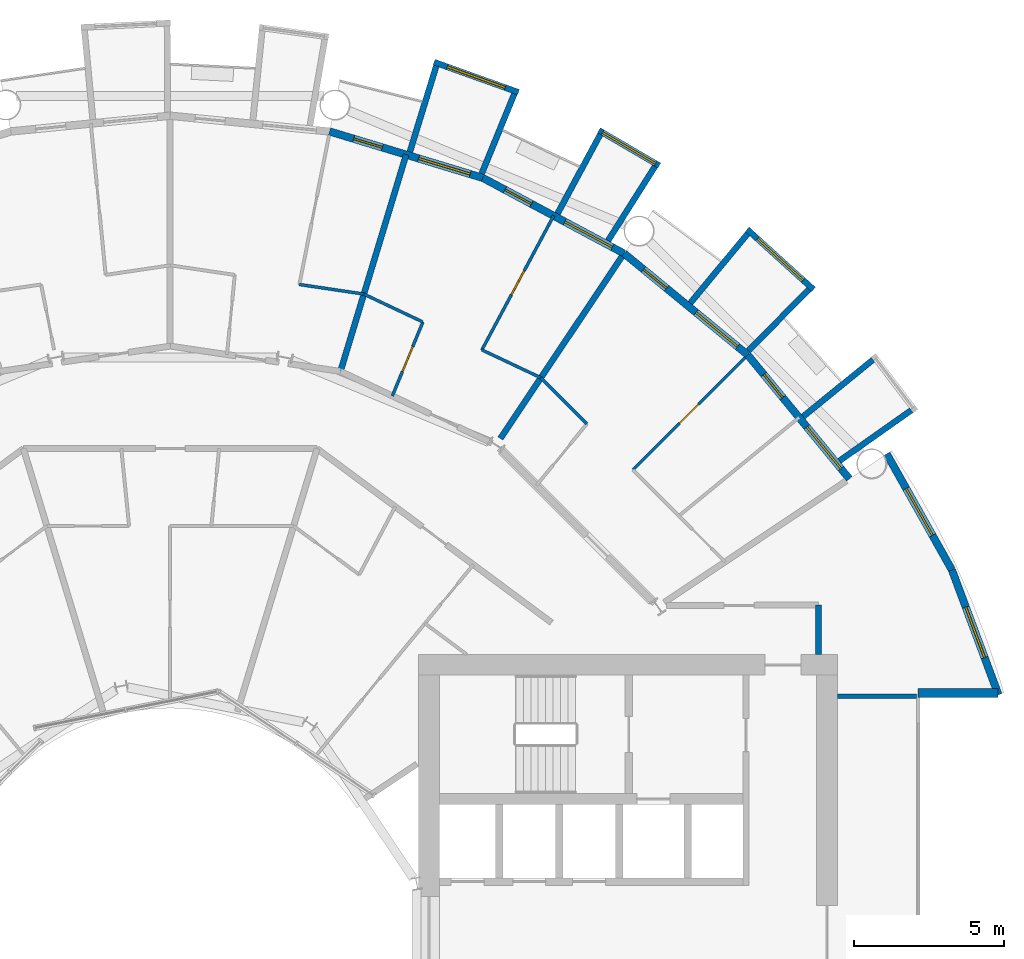
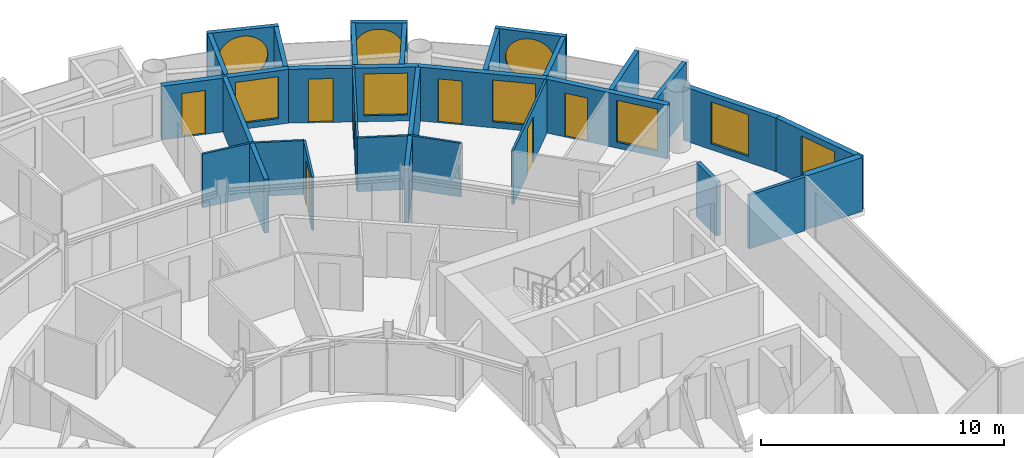
# One storey, part 22 of 26: 29 walls, 9 windows, 7 doors, 16 openings.
"""IFC4 building model written with IfcOpenShell, lengths in metres."""

import ifcopenshell
import ifcopenshell.guid

model = None  # the IFC model being written
_history = None  # IfcOwnerHistory: only IFC2X3 demands one
_inside = {}  # id of a spatial element -> (the spatial element, [elements in it])
_under = {}  # id of a project, library or spatial element -> (it, [spatial elements below it])
_declared = {}  # id of a project -> (the project, [libraries it declares])
_typed = {}  # id of a type object -> (the type object, [elements of that type])
_made_of = {}  # id of a material, layer set ... -> (it, [elements and type objects made of it])


def new_model(schema):
    """Start an empty IFC model of exactly this schema.

    Asked for "IFC4X3", IfcOpenShell would pick the latest addendum, in which some entities
    have other attributes; the version numbers below select the first issue.
    IFC2X3 requires an IfcOwnerHistory on every rooted entity: one is made here for all.
    """
    global model, _history
    if schema == "IFC4X3":
        model = ifcopenshell.file(schema_version=(4, 3, 0, 0))
    else:
        model = ifcopenshell.file(schema=schema)
    _inside.clear()
    _under.clear()
    _declared.clear()
    _typed.clear()
    _made_of.clear()
    _history = None
    if model.schema == "IFC2X3":
        org = make("IfcOrganization", Name="unknown")
        user = make(
            "IfcPersonAndOrganization",
            ThePerson=make("IfcPerson", FamilyName="unknown"),
            TheOrganization=org,
        )
        app = make(
            "IfcApplication",
            ApplicationDeveloper=org,
            Version="unknown",
            ApplicationFullName="unknown",
            ApplicationIdentifier="unknown",
        )
        _history = make(
            "IfcOwnerHistory",
            OwningUser=user,
            OwningApplication=app,
            ChangeAction="ADDED",
            CreationDate=0,
        )
    return model


def make(cls, **values):
    """One entity of the class cls with the attributes given. An attribute that is None is left unset."""
    return model.create_entity(
        cls, **{name: value for name, value in values.items() if value is not None}
    )


def rooted(cls, **values):
    """An entity with a GlobalId (a new one), such as an element, a storey or a relation."""
    return make(cls, GlobalId=ifcopenshell.guid.new(), OwnerHistory=_history, **values)


def si_unit(unit_type, name, prefix=None):
    """IfcSIUnit, for example si_unit("LENGTHUNIT", "METRE", prefix="MILLI")."""
    return make("IfcSIUnit", UnitType=unit_type, Prefix=prefix, Name=name)


def assignment(units):
    """IfcUnitAssignment: the units of a project."""
    return None if units is None else make("IfcUnitAssignment", Units=units)


def point(xyz):
    """IfcCartesianPoint."""
    return None if xyz is None else make("IfcCartesianPoint", Coordinates=xyz)


def direction(xyz):
    """IfcDirection."""
    return None if xyz is None else make("IfcDirection", DirectionRatios=xyz)


def frame(location, z_axis=None, x_axis=None):
    """IfcAxis2Placement3D, a coordinate frame: its origin and axes. An axis left out is left unset."""
    return make(
        "IfcAxis2Placement3D",
        Location=point(location),
        Axis=direction(z_axis),
        RefDirection=direction(x_axis),
    )


def frame_2d(location, x_axis=None):
    """IfcAxis2Placement2D, a coordinate frame in the plane: its origin and x axis."""
    return make(
        "IfcAxis2Placement2D", Location=point(location), RefDirection=direction(x_axis)
    )


def origin():
    """The frame at (0, 0, 0) with its axes left unset."""
    return frame((0.0, 0.0, 0.0))


def place(relative_to, where):
    """IfcLocalPlacement: puts the frame where relative to a parent placement (None: the world)."""
    return make(
        "IfcLocalPlacement", PlacementRelTo=relative_to, RelativePlacement=where
    )


def context(
    kind, dimensions, precision=None, world=None, true_north=None, identifier=None
):
    """IfcGeometricRepresentationContext, for example the 3D "Model" context."""
    return make(
        "IfcGeometricRepresentationContext",
        ContextIdentifier=identifier,
        ContextType=kind,
        CoordinateSpaceDimension=dimensions,
        Precision=precision,
        WorldCoordinateSystem=world,
        TrueNorth=true_north,
    )


def subcontext(parent, identifier, kind, view, scale=None):
    """IfcGeometricRepresentationSubContext, for example "Body" below "Model"."""
    return make(
        "IfcGeometricRepresentationSubContext",
        ContextIdentifier=identifier,
        ContextType=kind,
        ParentContext=parent,
        TargetScale=scale,
        TargetView=view,
    )


def project(units=None, contexts=None):
    """IfcProject with its units and contexts."""
    return rooted(
        "IfcProject",
        Name="project",
        RepresentationContexts=contexts,
        UnitsInContext=assignment(units),
    )


def spatial(cls, under=None, at=None, **own):
    """A site, building, storey or space (cls), placed at a placement, below another one or the project."""
    s = rooted(cls, ObjectPlacement=at, **own)
    if under is not None:
        _under.setdefault(under.id(), (under, []))[1].append(s)
    return s


def profile(cls, at=None, kind="AREA", **sizes):
    """A parametric profile (cls). Its sizes go by their IFC names, for example OverallWidth=200.0."""
    return make(cls, ProfileType=kind, Position=at, **sizes)


def rectangle(**sizes):
    """IfcRectangleProfileDef."""
    return profile("IfcRectangleProfileDef", **sizes)


def circle(**sizes):
    """IfcCircleProfileDef."""
    return profile("IfcCircleProfileDef", **sizes)


def extrude(swept, where, along, depth):
    """IfcExtrudedAreaSolid: the profile swept, set in the frame where, extruded along a direction by depth."""
    return make(
        "IfcExtrudedAreaSolid",
        SweptArea=swept,
        Position=where,
        ExtrudedDirection=direction(along),
        Depth=depth,
    )


def shape(context_of_items, identifier, shape_type, items):
    """IfcShapeRepresentation: the items that make up one representation, for example the "Body"."""
    return make(
        "IfcShapeRepresentation",
        ContextOfItems=context_of_items,
        RepresentationIdentifier=identifier,
        RepresentationType=shape_type,
        Items=items,
    )


def material(Name=None, Category=None):
    """IfcMaterial."""
    return make("IfcMaterial", Name=Name, Category=Category)


def layer(
    of_material, thickness, ventilated=None, Name=None, Category=None, Priority=None
):
    """IfcMaterialLayer: one layer of a wall or slab, of a material (None: an air gap)."""
    return make(
        "IfcMaterialLayer",
        Material=of_material,
        LayerThickness=thickness,
        IsVentilated=ventilated,
        Name=Name,
        Category=Category,
        Priority=Priority,
    )


def layer_set(layers, Name=None):
    """IfcMaterialLayerSet."""
    return make("IfcMaterialLayerSet", MaterialLayers=layers, LayerSetName=Name)


def made_of(thing, what):
    """Note that an element or type object is made of a material, layer set ...; save() writes the relation."""
    if what is not None:
        _made_of.setdefault(what.id(), (what, []))[1].append(thing)
    return thing


def type_object(cls, material=None, **own):
    """A type object (cls), such as IfcWallType, which elements share."""
    return made_of(rooted(cls, **own), material)


def element(
    cls,
    number,
    at=None,
    inside=None,
    cuts=None,
    type_object=None,
    material=None,
    context=None,
    identifier="Body",
    shape_type=None,
    held_by="IfcProductDefinitionShape",
    body=None,
    shapes=None,
    **own,
):
    """One element of the class cls, such as IfcWall. Its Tag is "e" and its number.

    at: its placement. inside: the storey or other place that contains it. cuts: it is an
    opening in that element (IfcRelVoidsElement). A single representation is given by context,
    identifier, shape_type and body (its items); several are given by shapes. held_by: the class
    of the entity that holds the representations. save() writes the other relations.
    """
    e = rooted(cls, Tag="e%d" % number, ObjectPlacement=at, **own)
    if body is not None:
        shapes = [shape(context, identifier, shape_type, body)]
    if shapes is not None:
        e.Representation = make(held_by, Representations=shapes)
    if inside is not None:
        _inside.setdefault(inside.id(), (inside, []))[1].append(e)
    if cuts is not None:
        rooted(
            "IfcRelVoidsElement", RelatingBuildingElement=cuts, RelatedOpeningElement=e
        )
    if type_object is not None:
        _typed.setdefault(type_object.id(), (type_object, []))[1].append(e)
    return made_of(e, material)


def fill(opening, filler):
    """IfcRelFillsElement: the door or window that sits in an opening."""
    return rooted(
        "IfcRelFillsElement",
        RelatingOpeningElement=opening,
        RelatedBuildingElement=filler,
    )


def aggregate(whole, parts):
    """IfcRelAggregates: a whole, such as a stair, and the parts it consists of."""
    return rooted("IfcRelAggregates", RelatingObject=whole, RelatedObjects=parts)


def save(model, path):
    """Write the relations noted so far, then the file.

    IfcRelAggregates (storeys below a building ...), IfcRelContainedInSpatialStructure (elements
    in a storey), IfcRelDefinesByType, IfcRelAssociatesMaterial and IfcRelDeclares: one each for
    every whole, place, type object, material and project.
    """
    for whole, parts in _under.values():
        aggregate(whole, parts)
    for where, things in _inside.values():
        rooted(
            "IfcRelContainedInSpatialStructure",
            RelatedElements=things,
            RelatingStructure=where,
        )
    for kind, things in _typed.values():
        rooted("IfcRelDefinesByType", RelatedObjects=things, RelatingType=kind)
    for what, things in _made_of.values():
        rooted("IfcRelAssociatesMaterial", RelatedObjects=things, RelatingMaterial=what)
    for by, libraries in _declared.values():
        rooted("IfcRelDeclares", RelatingContext=by, RelatedDefinitions=libraries)
    model.write(path)


model = new_model("IFC4")

# Units and contexts
model_context = context("Model", 3, precision=1e-05, world=origin(), true_north=direction((0.0, 1.0)))
body_context = subcontext(model_context, "Body", "Model", "MODEL_VIEW")
ifc_project = project(units=[si_unit("LENGTHUNIT", "METRE"), si_unit("AREAUNIT", "SQUARE_METRE"), si_unit("VOLUMEUNIT", "CUBIC_METRE"), si_unit("PLANEANGLEUNIT", "RADIAN"), si_unit("MASSUNIT", "GRAM", prefix="KILO")], contexts=[model_context])

# Site, building, storey
site_placement = place(None, origin())
site = spatial("IfcSite", under=ifc_project, at=site_placement, CompositionType="ELEMENT")
building_placement = place(site_placement, origin())
building = spatial("IfcBuilding", under=site, at=building_placement, Name="Maasbend Ring Residences", CompositionType="ELEMENT")
storey_placement = place(building_placement, frame((0.0, 0.0, 78.85009765625)))
storey = spatial("IfcBuildingStorey", under=building, at=storey_placement, Name="L22", CompositionType="ELEMENT", Elevation=78.85009765625)

# Walls
ifc_material_1 = material(Name="Concrete C30/37", Category="concrete")
ifc_layer_1 = layer(ifc_material_1, 0.199951171875)
ifc_layer_set_1 = layer_set([ifc_layer_1], Name="Concrete C30/37")
wall_type_1 = type_object("IfcWallType", Name="CORRIDOR WALL 200 CONCRETE", PredefinedType="PARTITIONING", material=ifc_layer_set_1)
wall_1_placement = place(storey_placement, frame((21.675048828125, 9.300048828125, 0.0), z_axis=(0.0, 0.0, 1.0), x_axis=(0.0, 1.0, 0.0)))
element("IfcWall", 1, at=wall_1_placement, inside=storey, type_object=wall_type_1, Name="U-L22-w008", PredefinedType="PARTITIONING", context=body_context, shape_type="SweptSolid", body=[
    extrude(rectangle(XDim=1.64990234375, YDim=0.199951171875, at=frame_2d((0.824951171875, 0.0))), origin(), (0.0, 0.0, 1.0), 2.699951171875),
])
ifc_material_2 = material(Name="Pale anodised aluminium panel", Category="aluminium")
ifc_layer_2 = layer(ifc_material_2, 0.199951171875)
ifc_layer_set_2 = layer_set([ifc_layer_2], Name="EW-BOX")
wall_type_2 = type_object("IfcWallType", Name="EW-BOX", PredefinedType="SOLIDWALL", material=ifc_layer_set_2)
wall_2_placement = place(storey_placement, frame((22.3701171875, 15.764892578125, -0.030029296875), z_axis=(0.0, 0.0, 1.0), x_axis=(0.817256123454, 0.576274612209, 0.0)))
element("IfcWall", 2, at=wall_2_placement, inside=storey, type_object=wall_type_2, Name="Box side wall N01 left", PredefinedType="SOLIDWALL", context=body_context, shape_type="SweptSolid", body=[
    extrude(rectangle(XDim=2.932861328125, YDim=0.199951171875, at=frame_2d((1.46630859375, 0.0))), origin(), (0.0, 0.0, 1.0), 2.72998046875),
])
wall_3_placement = place(storey_placement, frame((21.155029296875, 17.24609375, -0.030029296875), z_axis=(0.0, 0.0, 1.0), x_axis=(0.775179004516, 0.631741648902, 0.0)))
element("IfcWall", 3, at=wall_3_placement, inside=storey, type_object=wall_type_2, Name="Box side wall N01 right", PredefinedType="SOLIDWALL", context=body_context, shape_type="SweptSolid", body=[
    extrude(rectangle(XDim=3.005859375, YDim=0.199951171875, at=frame_2d((1.5029296875, 0.0))), origin(), (0.0, 0.0, 1.0), 2.72998046875),
])

# Wall, opening, window
wall_4_placement = place(storey_placement, frame((21.5, 21.492919921875, -0.030029296875), z_axis=(0.0, 0.0, 1.0), x_axis=(-0.740998365753, 0.671506829416, 0.0)))
wall_4 = element("IfcWall", 4, at=wall_4_placement, inside=storey, type_object=wall_type_2, Name="Box front N03", PredefinedType="SOLIDWALL", context=body_context, shape_type="SweptSolid", body=[
    extrude(rectangle(XDim=2.9931640625, YDim=0.199951171875, at=frame_2d((1.49658203125, 0.0))), origin(), (0.0, 0.0, 1.0), 2.72998046875),
])
opening_1_placement = place(wall_4_placement, frame((0.45654296875, 0.0, 0.330078125)))
opening_1 = element("IfcOpeningElement", 5, at=opening_1_placement, cuts=wall_4, Name="Opening W-RD", PredefinedType="OPENING", context=body_context, shape_type="SweptSolid", body=[
    extrude(circle(Radius=1.0400390625, at=frame_2d((1.0400390625, 1.0400390625))), frame((0.0, 0.10986328125, 0.0), z_axis=(0.0, -1.0, 0.0), x_axis=(1.0, 0.0, 0.0)), (0.0, 0.0, 1.0), 0.219970703125),
])
ifc_material_3 = material(Name="Aluminium and clear glass", Category="aluminium")
window_type_1 = type_object("IfcWindowType", Name="W-RD", PartitioningType="SINGLE_PANEL", PredefinedType="WINDOW", material=ifc_material_3)
window_1_placement = place(opening_1_placement, origin())
window_1 = element("IfcWindow", 6, at=window_1_placement, inside=storey, type_object=window_type_1, Name="Round window N03", OverallHeight=2.080078125, OverallWidth=2.080078125, PartitioningType="SINGLE_PANEL", PredefinedType="WINDOW", context=body_context, shape_type="SweptSolid", body=[
    extrude(circle(Radius=1.0400390625, at=frame_2d((1.0400390625, 1.0400390625))), frame((0.0, 0.030029296875, 0.0), z_axis=(0.0, -1.0, 0.0), x_axis=(1.0, 0.0, 0.0)), (0.0, 0.0, 1.0), 0.06005859375),
])
fill(opening_1, window_1)

# Walls
wall_5_placement = place(storey_placement, frame((19.322998046875, 19.449951171875, -0.030029296875), z_axis=(0.0, 0.0, 1.0), x_axis=(0.704476739375, 0.709727076896, 0.0)))
element("IfcWall", 7, at=wall_5_placement, inside=storey, type_object=wall_type_2, Name="Box side wall N03 left", PredefinedType="SOLIDWALL", context=body_context, shape_type="SweptSolid", body=[
    extrude(rectangle(XDim=2.883056640625, YDim=0.199951171875, at=frame_2d((1.44140625, 0.0))), origin(), (0.0, 0.0, 1.0), 2.72998046875),
])
wall_6_placement = place(storey_placement, frame((17.384033203125, 21.041015625, -0.030029296875), z_axis=(0.0, 0.0, 1.0), x_axis=(0.63709551667, 0.770784861449, 0.0)))
element("IfcWall", 8, at=wall_6_placement, inside=storey, type_object=wall_type_2, Name="Box side wall N03 right", PredefinedType="SOLIDWALL", context=body_context, shape_type="SweptSolid", body=[
    extrude(rectangle(XDim=3.005859375, YDim=0.199951171875, at=frame_2d((1.5029296875, 0.0))), origin(), (0.0, 0.0, 1.0), 2.72998046875),
])

# Wall, opening, window
wall_7_placement = place(storey_placement, frame((16.343994140625, 25.633056640625, -0.030029296875), z_axis=(0.0, 0.0, 1.0), x_axis=(-0.863346521872, 0.504611517081, 0.0)))
wall_7 = element("IfcWall", 9, at=wall_7_placement, inside=storey, type_object=wall_type_2, Name="Box front N05", PredefinedType="SOLIDWALL", context=body_context, shape_type="SweptSolid", body=[
    extrude(rectangle(XDim=2.33642578125, YDim=0.199951171875, at=frame_2d((1.168212890625, 0.0))), origin(), (0.0, 0.0, 1.0), 2.72998046875),
])
opening_2_placement = place(wall_7_placement, frame((0.128173828125, 0.0, 0.330078125)))
opening_2 = element("IfcOpeningElement", 10, at=opening_2_placement, cuts=wall_7, Name="Opening W-RD", PredefinedType="OPENING", context=body_context, shape_type="SweptSolid", body=[
    extrude(circle(Radius=1.0400390625, at=frame_2d((1.0400390625, 1.0400390625))), frame((0.0, 0.10986328125, 0.0), z_axis=(0.0, -1.0, 0.0), x_axis=(1.0, 0.0, 0.0)), (0.0, 0.0, 1.0), 0.219970703125),
])
window_2_placement = place(opening_2_placement, origin())
window_2 = element("IfcWindow", 11, at=window_2_placement, inside=storey, type_object=window_type_1, Name="Round window N05", OverallHeight=2.080078125, OverallWidth=2.080078125, PartitioningType="SINGLE_PANEL", PredefinedType="WINDOW", context=body_context, shape_type="SweptSolid", body=[
    extrude(circle(Radius=1.0400390625, at=frame_2d((1.0400390625, 1.0400390625))), frame((0.0, 0.030029296875, 0.0), z_axis=(0.0, -1.0, 0.0), x_axis=(1.0, 0.0, 0.0)), (0.0, 0.0, 1.0), 0.06005859375),
])
fill(opening_2, window_2)

# Walls
wall_8_placement = place(storey_placement, frame((14.635009765625, 23.1259765625, -0.030029296875), z_axis=(0.0, 0.0, 1.0), x_axis=(0.534437802731, 0.845207805816, 0.0)))
element("IfcWall", 12, at=wall_8_placement, inside=storey, type_object=wall_type_2, Name="Box side wall N05 left", PredefinedType="SOLIDWALL", context=body_context, shape_type="SweptSolid", body=[
    extrude(rectangle(XDim=2.931884765625, YDim=0.199951171875, at=frame_2d((1.4658203125, 0.0))), origin(), (0.0, 0.0, 1.0), 2.72998046875),
])
wall_9_placement = place(storey_placement, frame((12.945068359375, 24.029052734375, -0.030029296875), z_axis=(0.0, 0.0, 1.0), x_axis=(0.474424310775, 0.88029629861, 0.0)))
element("IfcWall", 13, at=wall_9_placement, inside=storey, type_object=wall_type_2, Name="Box side wall N05 right", PredefinedType="SOLIDWALL", context=body_context, shape_type="SweptSolid", body=[
    extrude(rectangle(XDim=3.005859375, YDim=0.199951171875, at=frame_2d((1.5029296875, 0.0))), origin(), (0.0, 0.0, 1.0), 2.72998046875),
])

# Wall, opening, window
wall_10_placement = place(storey_placement, frame((11.637939453125, 28.083984375, -0.030029296875), z_axis=(0.0, 0.0, 1.0), x_axis=(-0.941461077774, 0.337121697664, 0.0)))
wall_10 = element("IfcWall", 14, at=wall_10_placement, inside=storey, type_object=wall_type_2, Name="Box front N07", PredefinedType="SOLIDWALL", context=body_context, shape_type="SweptSolid", body=[
    extrude(rectangle(XDim=2.9931640625, YDim=0.199951171875, at=frame_2d((1.49658203125, 0.0))), origin(), (0.0, 0.0, 1.0), 2.72998046875),
])
opening_3_placement = place(wall_10_placement, frame((0.45654296875, 0.0, 0.330078125)))
opening_3 = element("IfcOpeningElement", 15, at=opening_3_placement, cuts=wall_10, Name="Opening W-RD", PredefinedType="OPENING", context=body_context, shape_type="SweptSolid", body=[
    extrude(circle(Radius=1.0400390625, at=frame_2d((1.0400390625, 1.0400390625))), frame((0.0, 0.10986328125, 0.0), z_axis=(0.0, -1.0, 0.0), x_axis=(1.0, 0.0, 0.0)), (0.0, 0.0, 1.0), 0.219970703125),
])
window_3_placement = place(opening_3_placement, origin())
window_3 = element("IfcWindow", 16, at=window_3_placement, inside=storey, type_object=window_type_1, Name="Round window N07", OverallHeight=2.080078125, OverallWidth=2.080078125, PartitioningType="SINGLE_PANEL", PredefinedType="WINDOW", context=body_context, shape_type="SweptSolid", body=[
    extrude(circle(Radius=1.0400390625, at=frame_2d((1.0400390625, 1.0400390625))), frame((0.0, 0.030029296875, 0.0), z_axis=(0.0, -1.0, 0.0), x_axis=(1.0, 0.0, 0.0)), (0.0, 0.0, 1.0), 0.06005859375),
])
fill(opening_3, window_3)

# Walls
wall_11_placement = place(storey_placement, frame((10.408935546875, 25.364013671875, -0.030029296875), z_axis=(0.0, 0.0, 1.0), x_axis=(0.379509886562, 0.925187681501, 0.0)))
element("IfcWall", 17, at=wall_11_placement, inside=storey, type_object=wall_type_2, Name="Box side wall N07 left", PredefinedType="SOLIDWALL", context=body_context, shape_type="SweptSolid", body=[
    extrude(rectangle(XDim=2.882568359375, YDim=0.199951171875, at=frame_2d((1.44140625, 0.0))), origin(), (0.0, 0.0, 1.0), 2.72998046875),
])
wall_12_placement = place(storey_placement, frame((8.009033203125, 26.092041015625, -0.030029296875), z_axis=(0.0, 0.0, 1.0), x_axis=(0.293406695073, 0.955987715029, 0.0)))
element("IfcWall", 18, at=wall_12_placement, inside=storey, type_object=wall_type_2, Name="Box side wall N07 right", PredefinedType="SOLIDWALL", context=body_context, shape_type="SweptSolid", body=[
    extrude(rectangle(XDim=3.00634765625, YDim=0.199951171875, at=frame_2d((1.503173828125, 0.0))), origin(), (0.0, 0.0, 1.0), 2.72998046875),
])

# Wall, openings, door, window
ifc_material_4 = material(Name="Aluminium clad insulated panel", Category="aluminium")
ifc_layer_3 = layer(ifc_material_4, 0.25)
ifc_layer_set_3 = layer_set([ifc_layer_3], Name="EW-GL")
wall_type_3 = type_object("IfcWallType", Name="EW-GL", PredefinedType="SOLIDWALL", material=ifc_layer_set_3)
wall_13_placement = place(storey_placement, frame((22.698974609375, 15.1669921875, 0.0), z_axis=(0.0, 0.0, 1.0), x_axis=(-0.634382322723, 0.773019449054, 0.0)))
wall_13 = element("IfcWall", 19, at=wall_13_placement, inside=storey, type_object=wall_type_3, Name="External wall N01", PredefinedType="SOLIDWALL", context=body_context, shape_type="SweptSolid", body=[
    extrude(rectangle(XDim=5.351806640625, YDim=0.25, at=frame_2d((2.67578125, 0.0))), origin(), (0.0, 0.0, 1.0), 2.699951171875),
])
opening_4_placement = place(wall_13_placement, frame((0.441162109375, 0.0, 0.300048828125)))
opening_4 = element("IfcOpeningElement", 20, at=opening_4_placement, cuts=wall_13, Name="Opening W-BX", PredefinedType="OPENING", context=body_context, shape_type="SweptSolid", body=[
    extrude(rectangle(XDim=1.800048828125, YDim=2.10009765625, at=frame_2d((0.89990234375, 1.050048828125))), frame((0.0, 0.135009765625, 0.0), z_axis=(0.0, -1.0, 0.0), x_axis=(1.0, 0.0, 0.0)), (0.0, 0.0, 1.0), 0.27001953125),
])
opening_5_placement = place(wall_13_placement, frame((3.510498046875, 0.0, 0.0)))
opening_5 = element("IfcOpeningElement", 21, at=opening_5_placement, cuts=wall_13, Name="Opening D-LG", PredefinedType="OPENING", context=body_context, shape_type="SweptSolid", body=[
    extrude(rectangle(XDim=1.0, YDim=2.199951171875, at=frame_2d((0.5, 1.10009765625))), frame((0.0, 0.135009765625, 0.0), z_axis=(0.0, -1.0, 0.0), x_axis=(1.0, 0.0, 0.0)), (0.0, 0.0, 1.0), 0.27001953125),
])
ifc_material_5 = material(Name="Aluminium and clear glass", Category="aluminium")
door_type_1 = type_object("IfcDoorType", Name="D-LG", OperationType="SINGLE_SWING_LEFT", PredefinedType="DOOR", material=ifc_material_5)
door_1_placement = place(opening_5_placement, origin())
door_1 = element("IfcDoor", 22, at=door_1_placement, inside=storey, type_object=door_type_1, Name="Loggia door N02", OperationType="SINGLE_SWING_LEFT", OverallHeight=2.199951171875, OverallWidth=1.0, PredefinedType="DOOR", context=body_context, shape_type="SweptSolid", body=[
    extrude(rectangle(XDim=1.0, YDim=2.199951171875, at=frame_2d((0.5, 1.10009765625))), frame((0.0, 0.02490234375, 0.0), z_axis=(0.0, -1.0, 0.0), x_axis=(1.0, 0.0, 0.0)), (0.0, 0.0, 1.0), 0.050048828125),
])
fill(opening_5, door_1)
ifc_material_6 = material(Name="Aluminium and clear glass", Category="aluminium")
window_type_2 = type_object("IfcWindowType", Name="W-BX", PartitioningType="DOUBLE_PANEL_VERTICAL", PredefinedType="WINDOW", material=ifc_material_6)
window_4_placement = place(opening_4_placement, origin())
window_4 = element("IfcWindow", 23, at=window_4_placement, inside=storey, type_object=window_type_2, Name="Window N01 room to box", OverallHeight=2.10009765625, OverallWidth=1.800048828125, PartitioningType="SINGLE_PANEL", PredefinedType="WINDOW", context=body_context, shape_type="SweptSolid", body=[
    extrude(rectangle(XDim=1.800048828125, YDim=2.10009765625, at=frame_2d((0.89990234375, 1.050048828125))), frame((0.0, 0.030029296875, 0.0), z_axis=(0.0, -1.0, 0.0), x_axis=(1.0, 0.0, 0.0)), (0.0, 0.0, 1.0), 0.06005859375),
])
fill(opening_4, window_4)

wall_14_placement = place(storey_placement, frame((19.303955078125, 19.303955078125, 0.0), z_axis=(0.0, 0.0, 1.0), x_axis=(-0.773019449054, 0.634382322723, 0.0)))
wall_14 = element("IfcWall", 24, at=wall_14_placement, inside=storey, type_object=wall_type_3, Name="External wall N02", PredefinedType="SOLIDWALL", context=body_context, shape_type="SweptSolid", body=[
    extrude(rectangle(XDim=5.351806640625, YDim=0.25, at=frame_2d((2.67578125, 0.0))), origin(), (0.0, 0.0, 1.0), 2.699951171875),
])
opening_6_placement = place(wall_14_placement, frame((0.441162109375, 0.0, 0.300048828125)))
opening_6 = element("IfcOpeningElement", 25, at=opening_6_placement, cuts=wall_14, Name="Opening W-BX", PredefinedType="OPENING", context=body_context, shape_type="SweptSolid", body=[
    extrude(rectangle(XDim=1.800048828125, YDim=2.10009765625, at=frame_2d((0.89990234375, 1.050048828125))), frame((0.0, 0.135009765625, 0.0), z_axis=(0.0, -1.0, 0.0), x_axis=(1.0, 0.0, 0.0)), (0.0, 0.0, 1.0), 0.27001953125),
])
opening_7_placement = place(wall_14_placement, frame((3.510498046875, 0.0, 0.0)))
opening_7 = element("IfcOpeningElement", 26, at=opening_7_placement, cuts=wall_14, Name="Opening D-LG", PredefinedType="OPENING", context=body_context, shape_type="SweptSolid", body=[
    extrude(rectangle(XDim=1.0, YDim=2.199951171875, at=frame_2d((0.5, 1.10009765625))), frame((0.0, 0.135009765625, 0.0), z_axis=(0.0, -1.0, 0.0), x_axis=(1.0, 0.0, 0.0)), (0.0, 0.0, 1.0), 0.27001953125),
])
door_2_placement = place(opening_7_placement, origin())
door_2 = element("IfcDoor", 27, at=door_2_placement, inside=storey, type_object=door_type_1, Name="Loggia door N04", OperationType="SINGLE_SWING_LEFT", OverallHeight=2.199951171875, OverallWidth=1.0, PredefinedType="DOOR", context=body_context, shape_type="SweptSolid", body=[
    extrude(rectangle(XDim=1.0, YDim=2.199951171875, at=frame_2d((0.5, 1.10009765625))), frame((0.0, 0.02490234375, 0.0), z_axis=(0.0, -1.0, 0.0), x_axis=(1.0, 0.0, 0.0)), (0.0, 0.0, 1.0), 0.050048828125),
])
fill(opening_7, door_2)
window_5_placement = place(opening_6_placement, origin())
window_5 = element("IfcWindow", 28, at=window_5_placement, inside=storey, type_object=window_type_2, Name="Window N03 room to box", OverallHeight=2.10009765625, OverallWidth=1.800048828125, PartitioningType="SINGLE_PANEL", PredefinedType="WINDOW", context=body_context, shape_type="SweptSolid", body=[
    extrude(rectangle(XDim=1.800048828125, YDim=2.10009765625, at=frame_2d((0.89990234375, 1.050048828125))), frame((0.0, 0.030029296875, 0.0), z_axis=(0.0, -1.0, 0.0), x_axis=(1.0, 0.0, 0.0)), (0.0, 0.0, 1.0), 0.06005859375),
])
fill(opening_6, window_5)

wall_15_placement = place(storey_placement, frame((15.1669921875, 22.698974609375, 0.0), z_axis=(0.0, 0.0, 1.0), x_axis=(-0.881915646801, 0.471407246368, 0.0)))
wall_15 = element("IfcWall", 29, at=wall_15_placement, inside=storey, type_object=wall_type_3, Name="External wall N03", PredefinedType="SOLIDWALL", context=body_context, shape_type="SweptSolid", body=[
    extrude(rectangle(XDim=5.35205078125, YDim=0.25, at=frame_2d((2.676025390625, 0.0))), origin(), (0.0, 0.0, 1.0), 2.699951171875),
])
opening_8_placement = place(wall_15_placement, frame((0.441162109375, 0.0, 0.300048828125)))
opening_8 = element("IfcOpeningElement", 30, at=opening_8_placement, cuts=wall_15, Name="Opening W-BX", PredefinedType="OPENING", context=body_context, shape_type="SweptSolid", body=[
    extrude(rectangle(XDim=1.800048828125, YDim=2.10009765625, at=frame_2d((0.89990234375, 1.050048828125))), frame((0.0, 0.135009765625, 0.0), z_axis=(0.0, -1.0, 0.0), x_axis=(1.0, 0.0, 0.0)), (0.0, 0.0, 1.0), 0.27001953125),
])
opening_9_placement = place(wall_15_placement, frame((3.510498046875, 0.0, 0.0)))
opening_9 = element("IfcOpeningElement", 31, at=opening_9_placement, cuts=wall_15, Name="Opening D-LG", PredefinedType="OPENING", context=body_context, shape_type="SweptSolid", body=[
    extrude(rectangle(XDim=1.0, YDim=2.199951171875, at=frame_2d((0.5, 1.10009765625))), frame((0.0, 0.135009765625, 0.0), z_axis=(0.0, -1.0, 0.0), x_axis=(1.0, 0.0, 0.0)), (0.0, 0.0, 1.0), 0.27001953125),
])
door_3_placement = place(opening_9_placement, origin())
door_3 = element("IfcDoor", 32, at=door_3_placement, inside=storey, type_object=door_type_1, Name="Loggia door N06", OperationType="SINGLE_SWING_LEFT", OverallHeight=2.199951171875, OverallWidth=1.0, PredefinedType="DOOR", context=body_context, shape_type="SweptSolid", body=[
    extrude(rectangle(XDim=1.0, YDim=2.199951171875, at=frame_2d((0.5, 1.10009765625))), frame((0.0, 0.02490234375, 0.0), z_axis=(0.0, -1.0, 0.0), x_axis=(1.0, 0.0, 0.0)), (0.0, 0.0, 1.0), 0.050048828125),
])
fill(opening_9, door_3)
window_6_placement = place(opening_8_placement, origin())
window_6 = element("IfcWindow", 33, at=window_6_placement, inside=storey, type_object=window_type_2, Name="Window N05 room to box", OverallHeight=2.10009765625, OverallWidth=1.800048828125, PartitioningType="SINGLE_PANEL", PredefinedType="WINDOW", context=body_context, shape_type="SweptSolid", body=[
    extrude(rectangle(XDim=1.800048828125, YDim=2.10009765625, at=frame_2d((0.89990234375, 1.050048828125))), frame((0.0, 0.030029296875, 0.0), z_axis=(0.0, -1.0, 0.0), x_axis=(1.0, 0.0, 0.0)), (0.0, 0.0, 1.0), 0.06005859375),
])
fill(opening_8, window_6)

wall_16_placement = place(storey_placement, frame((10.447021484375, 25.221923828125, 0.0), z_axis=(0.0, 0.0, 1.0), x_axis=(-0.956965678721, 0.290201119486, 0.0)))
wall_16 = element("IfcWall", 34, at=wall_16_placement, inside=storey, type_object=wall_type_3, Name="External wall N04", PredefinedType="SOLIDWALL", context=body_context, shape_type="SweptSolid", body=[
    extrude(rectangle(XDim=5.351318359375, YDim=0.25, at=frame_2d((2.67578125, 0.0))), origin(), (0.0, 0.0, 1.0), 2.699951171875),
])
opening_10_placement = place(wall_16_placement, frame((0.441162109375, 0.0, 0.300048828125)))
opening_10 = element("IfcOpeningElement", 35, at=opening_10_placement, cuts=wall_16, Name="Opening W-BX", PredefinedType="OPENING", context=body_context, shape_type="SweptSolid", body=[
    extrude(rectangle(XDim=1.800048828125, YDim=2.10009765625, at=frame_2d((0.89990234375, 1.050048828125))), frame((0.0, 0.135009765625, 0.0), z_axis=(0.0, -1.0, 0.0), x_axis=(1.0, 0.0, 0.0)), (0.0, 0.0, 1.0), 0.27001953125),
])
opening_11_placement = place(wall_16_placement, frame((3.510498046875, 0.0, 0.0)))
opening_11 = element("IfcOpeningElement", 36, at=opening_11_placement, cuts=wall_16, Name="Opening D-LG", PredefinedType="OPENING", context=body_context, shape_type="SweptSolid", body=[
    extrude(rectangle(XDim=1.0, YDim=2.199951171875, at=frame_2d((0.5, 1.10009765625))), frame((0.0, 0.135009765625, 0.0), z_axis=(0.0, -1.0, 0.0), x_axis=(1.0, 0.0, 0.0)), (0.0, 0.0, 1.0), 0.27001953125),
])
door_4_placement = place(opening_11_placement, origin())
door_4 = element("IfcDoor", 37, at=door_4_placement, inside=storey, type_object=door_type_1, Name="Loggia door N08", OperationType="SINGLE_SWING_LEFT", OverallHeight=2.199951171875, OverallWidth=1.0, PredefinedType="DOOR", context=body_context, shape_type="SweptSolid", body=[
    extrude(rectangle(XDim=1.0, YDim=2.199951171875, at=frame_2d((0.5, 1.10009765625))), frame((0.0, 0.02490234375, 0.0), z_axis=(0.0, -1.0, 0.0), x_axis=(1.0, 0.0, 0.0)), (0.0, 0.0, 1.0), 0.050048828125),
])
fill(opening_11, door_4)
window_7_placement = place(opening_10_placement, origin())
window_7 = element("IfcWindow", 38, at=window_7_placement, inside=storey, type_object=window_type_2, Name="Window N07 room to box", OverallHeight=2.10009765625, OverallWidth=1.800048828125, PartitioningType="SINGLE_PANEL", PredefinedType="WINDOW", context=body_context, shape_type="SweptSolid", body=[
    extrude(rectangle(XDim=1.800048828125, YDim=2.10009765625, at=frame_2d((0.89990234375, 1.050048828125))), frame((0.0, 0.030029296875, 0.0), z_axis=(0.0, -1.0, 0.0), x_axis=(1.0, 0.0, 0.0)), (0.0, 0.0, 1.0), 0.06005859375),
])
fill(opening_10, window_7)

# Wall, opening, window
ifc_material_7 = material(Name="Aluminium clad insulated panel", Category="aluminium")
ifc_layer_4 = layer(ifc_material_7, 0.25)
ifc_layer_set_4 = layer_set([ifc_layer_4], Name="EW-HORN")
wall_type_4 = type_object("IfcWallType", Name="EW-HORN", PredefinedType="SOLIDWALL", material=ifc_layer_set_4)
wall_17_placement = place(storey_placement, frame((27.681884765625, 7.945068359375, 0.0), z_axis=(0.0, 0.0, 1.0), x_axis=(-0.349247811493, 0.937030397675, 0.0)))
wall_17 = element("IfcWall", 39, at=wall_17_placement, inside=storey, type_object=wall_type_4, Name="Horn wall 1.1", PredefinedType="SOLIDWALL", context=body_context, shape_type="SweptSolid", body=[
    extrude(rectangle(XDim=4.4521484375, YDim=0.25, at=frame_2d((2.22607421875, 0.0))), origin(), (0.0, 0.0, 1.0), 2.699951171875),
])
opening_12_placement = place(wall_17_placement, frame((1.32666015625, 0.0, 0.300048828125)))
opening_12 = element("IfcOpeningElement", 40, at=opening_12_placement, cuts=wall_17, Name="Opening W-BX", PredefinedType="OPENING", context=body_context, shape_type="SweptSolid", body=[
    extrude(rectangle(XDim=1.800048828125, YDim=2.10009765625, at=frame_2d((0.89990234375, 1.050048828125))), frame((0.0, 0.135009765625, 0.0), z_axis=(0.0, -1.0, 0.0), x_axis=(1.0, 0.0, 0.0)), (0.0, 0.0, 1.0), 0.27001953125),
])
window_8_placement = place(opening_12_placement, origin())
window_8 = element("IfcWindow", 41, at=window_8_placement, inside=storey, type_object=window_type_2, Name="Horn window 1.1", OverallHeight=2.10009765625, OverallWidth=1.800048828125, PartitioningType="SINGLE_PANEL", PredefinedType="WINDOW", context=body_context, shape_type="SweptSolid", body=[
    extrude(rectangle(XDim=1.800048828125, YDim=2.10009765625, at=frame_2d((0.89990234375, 1.050048828125))), frame((0.0, 0.030029296875, 0.0), z_axis=(0.0, -1.0, 0.0), x_axis=(1.0, 0.0, 0.0)), (0.0, 0.0, 1.0), 0.06005859375),
])
fill(opening_12, window_8)

wall_18_placement = place(storey_placement, frame((26.126953125, 12.116943359375, 0.0), z_axis=(0.0, 0.0, 1.0), x_axis=(-0.489696356642, 0.871893042919, 0.0)))
wall_18 = element("IfcWall", 42, at=wall_18_placement, inside=storey, type_object=wall_type_4, Name="Horn wall 1.2", PredefinedType="SOLIDWALL", context=body_context, shape_type="SweptSolid", body=[
    extrude(rectangle(XDim=4.45361328125, YDim=0.25, at=frame_2d((2.226806640625, 0.0))), origin(), (0.0, 0.0, 1.0), 2.699951171875),
])
opening_13_placement = place(wall_18_placement, frame((1.32666015625, 0.0, 0.300048828125)))
opening_13 = element("IfcOpeningElement", 43, at=opening_13_placement, cuts=wall_18, Name="Opening W-BX", PredefinedType="OPENING", context=body_context, shape_type="SweptSolid", body=[
    extrude(rectangle(XDim=1.800048828125, YDim=2.10009765625, at=frame_2d((0.89990234375, 1.050048828125))), frame((0.0, 0.135009765625, 0.0), z_axis=(0.0, -1.0, 0.0), x_axis=(1.0, 0.0, 0.0)), (0.0, 0.0, 1.0), 0.27001953125),
])
window_9_placement = place(opening_13_placement, origin())
window_9 = element("IfcWindow", 44, at=window_9_placement, inside=storey, type_object=window_type_2, Name="Horn window 1.2", OverallHeight=2.10009765625, OverallWidth=1.800048828125, PartitioningType="SINGLE_PANEL", PredefinedType="WINDOW", context=body_context, shape_type="SweptSolid", body=[
    extrude(rectangle(XDim=1.800048828125, YDim=2.10009765625, at=frame_2d((0.89990234375, 1.050048828125))), frame((0.0, 0.030029296875, 0.0), z_axis=(0.0, -1.0, 0.0), x_axis=(1.0, 0.0, 0.0)), (0.0, 0.0, 1.0), 0.06005859375),
])
fill(opening_13, window_9)

# Wall
ifc_material_8 = material(Name="Aluminium clad insulated panel", Category="aluminium")
ifc_layer_5 = layer(ifc_material_8, 0.300048828125)
ifc_layer_set_5 = layer_set([ifc_layer_5], Name="EW-RET")
wall_type_5 = type_object("IfcWallType", Name="EW-RET", PredefinedType="SOLIDWALL", material=ifc_layer_set_5)
wall_19_placement = place(storey_placement, frame((25.0, 8.0, 0.0), z_axis=(0.0, 0.0, 1.0), x_axis=(1.0, 0.0, 0.0)))
element("IfcWall", 45, at=wall_19_placement, inside=storey, type_object=wall_type_5, Name="Notch return wall east north", PredefinedType="SOLIDWALL", context=body_context, shape_type="SweptSolid", body=[
    extrude(rectangle(XDim=2.6669921875, YDim=0.300048828125, at=frame_2d((1.33349609375, 0.0))), origin(), (0.0, 0.0, 1.0), 2.699951171875),
])

# Wall, opening, door
ifc_material_9 = material(Name="Gypsum board on steel studs", Category="steel")
ifc_layer_6 = layer(ifc_material_9, 0.10009765625)
ifc_layer_set_6 = layer_set([ifc_layer_6], Name="PARTITION 100 GYPSUM")
wall_type_6 = type_object("IfcWallType", Name="PARTITION 100 GYPSUM", PredefinedType="PARTITIONING", material=ifc_layer_set_6)
wall_20_placement = place(storey_placement, frame((7.423095703125, 17.93603515625, 0.0), z_axis=(0.0, 0.0, 1.0), x_axis=(0.382195876364, 0.924081334132, 0.0)))
wall_20 = element("IfcWall", 46, at=wall_20_placement, inside=storey, type_object=wall_type_6, Name="U-L22-w080", PredefinedType="PARTITIONING", context=body_context, shape_type="SweptSolid", body=[
    extrude(rectangle(XDim=2.673828125, YDim=0.10009765625, at=frame_2d((1.3369140625, 0.0))), origin(), (0.0, 0.0, 1.0), 2.699951171875),
])
opening_14_placement = place(wall_20_placement, frame((0.886962890625, 0.0, 0.0)))
opening_14 = element("IfcOpeningElement", 47, at=opening_14_placement, cuts=wall_20, Name="Opening D-2206", PredefinedType="OPENING", context=body_context, shape_type="SweptSolid", body=[
    extrude(rectangle(XDim=0.89990234375, YDim=2.300048828125, at=frame_2d((0.449951171875, 1.14990234375))), frame((0.0, 0.06005859375, 0.0), z_axis=(0.0, -1.0, 0.0), x_axis=(1.0, 0.0, 0.0)), (0.0, 0.0, 1.0), 0.1201171875),
])
ifc_material_10 = material(Name="Timber, painted", Category="wood")
door_type_2 = type_object("IfcDoorType", Name="INTERNAL DOOR 900 X 2300", OperationType="NOTDEFINED", PredefinedType="DOOR", material=ifc_material_10)
door_5_placement = place(opening_14_placement, origin())
door_5 = element("IfcDoor", 48, at=door_5_placement, inside=storey, type_object=door_type_2, Name="D-2206", OperationType="SINGLE_SWING_RIGHT", OverallHeight=2.300048828125, OverallWidth=0.89990234375, PredefinedType="DOOR", context=body_context, shape_type="SweptSolid", body=[
    extrude(rectangle(XDim=0.89990234375, YDim=2.300048828125, at=frame_2d((0.449951171875, 1.14990234375))), frame((0.0, 0.02490234375, 0.0), z_axis=(0.0, -1.0, 0.0), x_axis=(1.0, 0.0, 0.0)), (0.0, 0.0, 1.0), 0.050048828125),
])
fill(opening_14, door_5)

wall_21_placement = place(storey_placement, frame((10.4169921875, 19.47412109375, 0.0), z_axis=(0.0, 0.0, 1.0), x_axis=(0.471755462896, 0.881729427448, 0.0)))
wall_21 = element("IfcWall", 49, at=wall_21_placement, inside=storey, type_object=wall_type_6, Name="U-L22-w083", PredefinedType="PARTITIONING", context=body_context, shape_type="SweptSolid", body=[
    extrude(rectangle(XDim=5.08984375, YDim=0.10009765625, at=frame_2d((2.544921875, 0.0))), origin(), (0.0, 0.0, 1.0), 2.699951171875),
])
opening_15_placement = place(wall_21_placement, frame((2.094970703125, 0.0, 0.0)))
opening_15 = element("IfcOpeningElement", 50, at=opening_15_placement, cuts=wall_21, Name="Opening D-2207", PredefinedType="OPENING", context=body_context, shape_type="SweptSolid", body=[
    extrude(rectangle(XDim=0.89990234375, YDim=2.300048828125, at=frame_2d((0.449951171875, 1.14990234375))), frame((0.0, 0.06005859375, 0.0), z_axis=(0.0, -1.0, 0.0), x_axis=(1.0, 0.0, 0.0)), (0.0, 0.0, 1.0), 0.1201171875),
])
door_6_placement = place(opening_15_placement, origin())
door_6 = element("IfcDoor", 51, at=door_6_placement, inside=storey, type_object=door_type_2, Name="D-2207", OperationType="SINGLE_SWING_LEFT", OverallHeight=2.300048828125, OverallWidth=0.89990234375, PredefinedType="DOOR", context=body_context, shape_type="SweptSolid", body=[
    extrude(rectangle(XDim=0.89990234375, YDim=2.300048828125, at=frame_2d((0.449951171875, 1.14990234375))), frame((0.0, 0.02490234375, 0.0), z_axis=(0.0, -1.0, 0.0), x_axis=(1.0, 0.0, 0.0)), (0.0, 0.0, 1.0), 0.050048828125),
])
fill(opening_15, door_6)

wall_22_placement = place(storey_placement, frame((15.465087890625, 15.465087890625, 0.0), z_axis=(0.0, 0.0, 1.0), x_axis=(0.707106781187, 0.707106781187, 0.0)))
wall_22 = element("IfcWall", 52, at=wall_22_placement, inside=storey, type_object=wall_type_6, Name="U-L22-w089", PredefinedType="PARTITIONING", context=body_context, shape_type="SweptSolid", body=[
    extrude(rectangle(XDim=5.3046875, YDim=0.10009765625, at=frame_2d((2.65234375, 0.0))), origin(), (0.0, 0.0, 1.0), 2.699951171875),
])
opening_16_placement = place(wall_22_placement, frame((2.201904296875, 0.0, 0.0)))
opening_16 = element("IfcOpeningElement", 53, at=opening_16_placement, cuts=wall_22, Name="Opening D-2203", PredefinedType="OPENING", context=body_context, shape_type="SweptSolid", body=[
    extrude(rectangle(XDim=0.89990234375, YDim=2.300048828125, at=frame_2d((0.449951171875, 1.14990234375))), frame((0.0, 0.06005859375, 0.0), z_axis=(0.0, -1.0, 0.0), x_axis=(1.0, 0.0, 0.0)), (0.0, 0.0, 1.0), 0.1201171875),
])
door_7_placement = place(opening_16_placement, origin())
door_7 = element("IfcDoor", 54, at=door_7_placement, inside=storey, type_object=door_type_2, Name="D-2203", OperationType="SINGLE_SWING_RIGHT", OverallHeight=2.300048828125, OverallWidth=0.89990234375, PredefinedType="DOOR", context=body_context, shape_type="SweptSolid", body=[
    extrude(rectangle(XDim=0.89990234375, YDim=2.300048828125, at=frame_2d((0.449951171875, 1.14990234375))), frame((0.0, 0.02490234375, 0.0), z_axis=(0.0, -1.0, 0.0), x_axis=(1.0, 0.0, 0.0)), (0.0, 0.0, 1.0), 0.050048828125),
])
fill(opening_16, door_7)

# Walls
wall_23_placement = place(storey_placement, frame((12.385009765625, 18.5439453125, 0.0), z_axis=(0.0, 0.0, 1.0), x_axis=(0.707387256653, -0.706826194425, 0.0)))
element("IfcWall", 55, at=wall_23_placement, inside=storey, type_object=wall_type_6, Name="U-L22-w119", PredefinedType="PARTITIONING", context=body_context, shape_type="SweptSolid", body=[
    extrude(rectangle(XDim=2.17578125, YDim=0.10009765625, at=frame_2d((1.087890625, 0.0))), origin(), (0.0, 0.0, 1.0), 2.699951171875),
])
wall_24_placement = place(storey_placement, frame((4.31494140625, 21.659912109375, 0.0), z_axis=(0.0, 0.0, 1.0), x_axis=(0.989185420695, -0.146670390618, 0.0)))
element("IfcWall", 56, at=wall_24_placement, inside=storey, type_object=wall_type_6, Name="U-L22-w126", PredefinedType="PARTITIONING", context=body_context, shape_type="SweptSolid", body=[
    extrude(rectangle(XDim=2.1806640625, YDim=0.10009765625, at=frame_2d((1.09033203125, 0.0))), origin(), (0.0, 0.0, 1.0), 2.699951171875),
])
for number, where, z_axis, x_axis, name in (
    (57, (6.464111328125, 21.342041015625, 0.0), (0.0, 0.0, 1.0), (0.904081702397, -0.427359655782, 0.0), "U-L22-w127"),
    (58, (10.4169921875, 19.47412109375, 0.0), (0.0, 0.0, 1.0), (0.904081702397, -0.427359655782, 0.0), "U-L22-w128"),
):
    element("IfcWall", number, at=place(storey_placement, frame(where, z_axis=z_axis, x_axis=x_axis)), inside=storey, type_object=wall_type_6, Name=name, PredefinedType="PARTITIONING", context=body_context, shape_type="SweptSolid", body=[
        extrude(rectangle(XDim=2.18115234375, YDim=0.10009765625, at=frame_2d((1.090576171875, 0.0))), origin(), (0.0, 0.0, 1.0), 2.699951171875),
    ])
ifc_material_11 = material(Name="Gypsum board on steel studs", Category="steel")
ifc_layer_7 = layer(ifc_material_11, 0.14990234375)
ifc_layer_set_7 = layer_set([ifc_layer_7], Name="PARTITION 150 EI 60")
wall_type_7 = type_object("IfcWallType", Name="PARTITION 150 EI 60", PredefinedType="PARTITIONING", material=ifc_layer_set_7)
wall_25_placement = place(storey_placement, frame((22.300048828125, 7.89990234375, 0.0), z_axis=(0.0, 0.0, 1.0), x_axis=(1.0, 0.0, 0.0)))
element("IfcWall", 59, at=wall_25_placement, inside=storey, type_object=wall_type_7, Name="L22 core E wall CITN", PredefinedType="PARTITIONING", context=body_context, shape_type="SweptSolid", body=[
    extrude(rectangle(XDim=2.639892578125, YDim=0.14990234375, at=frame_2d((1.31982421875, 0.0))), origin(), (0.0, 0.0, 1.0), 2.699951171875),
])
ifc_material_12 = material(Name="Concrete C30/37", Category="concrete")
ifc_layer_8 = layer(ifc_material_12, 0.199951171875)
ifc_layer_set_8 = layer_set([ifc_layer_8], Name="Concrete C30/37")
wall_type_8 = type_object("IfcWallType", Name="PARTY WALL 200 CONCRETE", PredefinedType="PARTITIONING", material=ifc_layer_set_8)
wall_26_placement = place(storey_placement, frame((5.68994140625, 18.756103515625, 0.0), z_axis=(0.0, 0.0, 1.0), x_axis=(0.29005838641, 0.957008951094, 0.0)))
element("IfcWall", 60, at=wall_26_placement, inside=storey, type_object=wall_type_8, Name="U-L22-w036", PredefinedType="PARTITIONING", context=body_context, shape_type="SweptSolid", body=[
    extrude(rectangle(XDim=7.574462890625, YDim=0.199951171875, at=frame_2d((3.787109375, 0.0))), origin(), (0.0, 0.0, 1.0), 2.699951171875),
])
wall_27_placement = place(storey_placement, frame((11.034912109375, 16.514892578125, 0.0), z_axis=(0.0, 0.0, 1.0), x_axis=(0.555516661303, 0.831505405283, 0.0)))
element("IfcWall", 61, at=wall_27_placement, inside=storey, type_object=wall_type_8, Name="U-L22-w084", PredefinedType="PARTITIONING", context=body_context, shape_type="SweptSolid", body=[
    extrude(rectangle(XDim=7.31201171875, YDim=0.199951171875, at=frame_2d((3.656005859375, 0.0))), origin(), (0.0, 0.0, 1.0), 2.699951171875),
])

save(model, "model.ifc")
